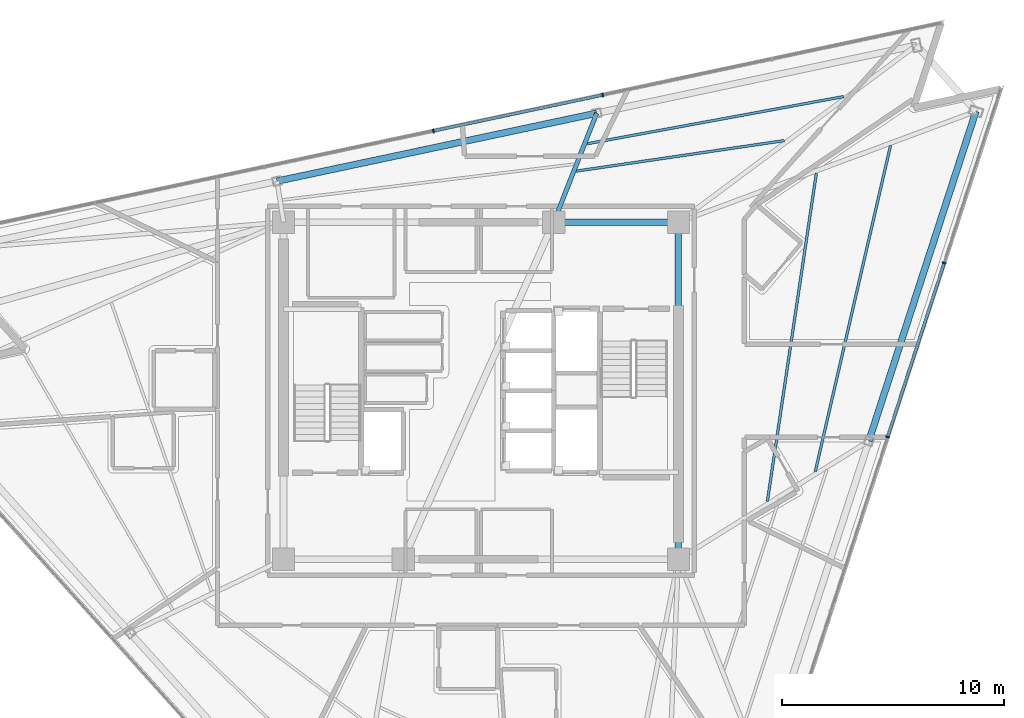
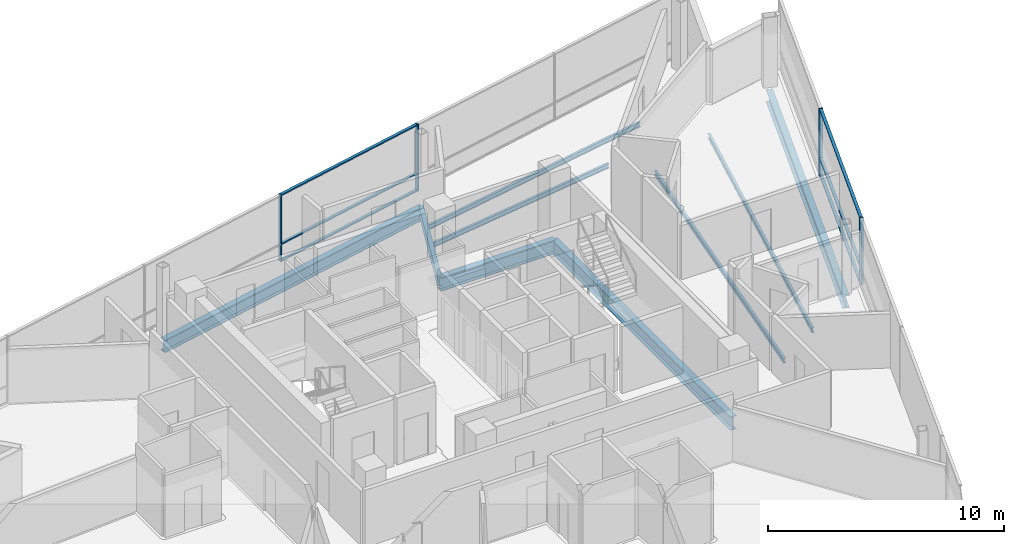
# One storey, part 7 of 18: 10 members, 9 beams, 2 elements without a shape of their own.
"""IFC4 building model written with IfcOpenShell, lengths in metres."""

from ifc_helpers import new_model, si_unit, direction, frame, origin, origin_2d, place, context, subcontext, project, spatial, rectangle, i_section, extrude, material, layer, layer_set, material_profile, profile_set, type_object, element, aggregate, save


model = new_model("IFC4")

# Units and contexts
model_context = context("Model", 3, precision=1e-05, world=origin(), true_north=direction((0.0, 1.0)))
body_context = subcontext(model_context, "Body", "Model", "MODEL_VIEW")
ifc_project = project(units=[si_unit("LENGTHUNIT", "METRE"), si_unit("AREAUNIT", "SQUARE_METRE"), si_unit("VOLUMEUNIT", "CUBIC_METRE"), si_unit("PLANEANGLEUNIT", "RADIAN"), si_unit("MASSUNIT", "GRAM", prefix="KILO")], contexts=[model_context])

# Site, building, storey
site_placement = place(None, origin())
site = spatial("IfcSite", under=ifc_project, at=site_placement, CompositionType="ELEMENT")
building_placement = place(site_placement, origin())
building = spatial("IfcBuilding", under=site, at=building_placement, Name="Tharavind Bronze Gate", CompositionType="ELEMENT")
storey_placement = place(building_placement, frame((0.0, 0.0, 287.050048828125)))
storey = spatial("IfcBuildingStorey", under=building, at=storey_placement, Name="L74", CompositionType="ELEMENT", Elevation=287.050048828125)

# Curtain wall, members
ifc_material_1 = material(Name="Anodised Bronze Aluminium", Category="aluminium")
ifc_layer = layer(ifc_material_1, 0.219970703125)
ifc_layer_set = layer_set([ifc_layer], Name="Anodised Bronze Aluminium")
curtain_wall_type = type_object("IfcCurtainWallType", Name="UNITISED CURTAIN WALL CROWN", PredefinedType="USERDEFINED", material=ifc_layer_set)
curtain_wall_1_placement = place(storey_placement, origin())
curtain_wall_1 = element("IfcCurtainWall", 1, at=curtain_wall_1_placement, inside=storey, type_object=curtain_wall_type, Name="L74 unitised curtain wall crown CW-L74-S2", ObjectType="UNITISED CURTAIN WALL", PredefinedType="USERDEFINED")
member_type_1 = type_object("IfcMemberType", Name="CURTAIN WALL BRONZE MULLION 65X180", PredefinedType="MULLION", material=ifc_material_1)
member_1_placement = place(storey_placement, frame((18.336181640625, -2.08544921875, 0.0), z_axis=(0.0, 0.0, 1.0), x_axis=(0.309016994375, 0.951056516295, 0.0)))
member_1 = element("IfcMember", 2, at=member_1_placement, type_object=member_type_1, Name="CW-L74-S2 mullion 5", PredefinedType="MULLION", context=body_context, shape_type="SweptSolid", body=[
    extrude(rectangle(XDim=0.06494140625, YDim=0.179931640625, at=origin_2d()), origin(), (0.0, 0.0, 1.0), 3.465087890625),
])
member_2_placement = place(storey_placement, frame((20.885009765625, 5.759033203125, 0.0), z_axis=(0.0, 0.0, 1.0), x_axis=(0.309016994375, 0.951056516295, 0.0)))
member_2 = element("IfcMember", 3, at=member_2_placement, type_object=member_type_1, Name="CW-L74-S2 mullion 6", PredefinedType="MULLION", context=body_context, shape_type="SweptSolid", body=[
    extrude(rectangle(XDim=0.06494140625, YDim=0.179931640625, at=origin_2d()), origin(), (0.0, 0.0, 1.0), 3.465087890625),
])

curtain_wall_2_placement = place(storey_placement, origin())
curtain_wall_2 = element("IfcCurtainWall", 4, at=curtain_wall_2_placement, inside=storey, type_object=curtain_wall_type, Name="L74 unitised curtain wall crown CW-L74-S3", ObjectType="UNITISED CURTAIN WALL", PredefinedType="USERDEFINED")
member_3_placement = place(storey_placement, frame((5.487548828125, 13.33740234375, 0.0), z_axis=(0.0, 0.0, 1.0), x_axis=(-0.978147237858, -0.207913398007, 0.0)))
member_3 = element("IfcMember", 5, at=member_3_placement, type_object=member_type_1, Name="CW-L74-S3 mullion 3", PredefinedType="MULLION", context=body_context, shape_type="SweptSolid", body=[
    extrude(rectangle(XDim=0.06494140625, YDim=0.179931640625, at=origin_2d()), origin(), (0.0, 0.0, 1.0), 3.465087890625),
])
member_4_placement = place(storey_placement, frame((-2.14453125, 11.715087890625, 0.0), z_axis=(0.0, 0.0, 1.0), x_axis=(-0.978147237858, -0.207913398007, 0.0)))
member_4 = element("IfcMember", 6, at=member_4_placement, type_object=member_type_1, Name="CW-L74-S3 mullion 4", PredefinedType="MULLION", context=body_context, shape_type="SweptSolid", body=[
    extrude(rectangle(XDim=0.06494140625, YDim=0.179931640625, at=origin_2d()), origin(), (0.0, 0.0, 1.0), 3.465087890625),
])

# Member
member_type_2 = type_object("IfcMemberType", Name="CURTAIN WALL BRONZE TRANSOM 65X140", PredefinedType="USERDEFINED", material=ifc_material_1)
member_5_placement = place(storey_placement, frame((19.610595703125, 1.8369140625, 0.0), z_axis=(0.0, 0.0, 1.0), x_axis=(0.309016994375, 0.951056516295, 0.0)))
member_5 = element("IfcMember", 7, at=member_5_placement, type_object=member_type_2, Name="CW-L74-S2 transom TB5", ObjectType="TRANSOM", PredefinedType="USERDEFINED", context=body_context, shape_type="SweptSolid", body=[
    extrude(rectangle(XDim=8.195068359375, YDim=0.139892578125, at=origin_2d()), origin(), (0.0, 0.0, 1.0), 0.06494140625),
])

member_6_placement = place(storey_placement, frame((19.610595703125, 1.8369140625, 0.867431640625), z_axis=(0.0, 0.0, 1.0), x_axis=(0.309016994375, 0.951056516295, 0.0)))
member_6 = element("IfcMember", 8, at=member_6_placement, type_object=member_type_2, Name="CW-L74-S2 transom TS5", ObjectType="TRANSOM", PredefinedType="USERDEFINED", context=body_context, shape_type="SweptSolid", body=[
    extrude(rectangle(XDim=8.195068359375, YDim=0.139892578125, at=origin_2d()), origin(), (0.0, 0.0, 1.0), 0.06494140625),
])

member_7_placement = place(storey_placement, frame((19.610595703125, 1.8369140625, 3.39990234375), z_axis=(0.0, 0.0, 1.0), x_axis=(0.309016994375, 0.951056516295, 0.0)))
member_7 = element("IfcMember", 9, at=member_7_placement, type_object=member_type_2, Name="CW-L74-S2 transom TT5", ObjectType="TRANSOM", PredefinedType="USERDEFINED", context=body_context, shape_type="SweptSolid", body=[
    extrude(rectangle(XDim=8.195068359375, YDim=0.139892578125, at=origin_2d()), origin(), (0.0, 0.0, 1.0), 0.06494140625),
])

aggregate(curtain_wall_1, [member_1, member_2, member_5, member_6, member_7])

member_8_placement = place(storey_placement, frame((1.67138671875, 12.526123046875, 0.0), z_axis=(0.0, 0.0, 1.0), x_axis=(-0.978147237858, -0.207913398007, 0.0)))
member_8 = element("IfcMember", 10, at=member_8_placement, type_object=member_type_2, Name="CW-L74-S3 transom TB3", ObjectType="TRANSOM", PredefinedType="USERDEFINED", context=body_context, shape_type="SweptSolid", body=[
    extrude(rectangle(XDim=7.749755859375, YDim=0.139892578125, at=origin_2d()), origin(), (0.0, 0.0, 1.0), 0.06494140625),
])

member_9_placement = place(storey_placement, frame((1.67138671875, 12.526123046875, 0.867431640625), z_axis=(0.0, 0.0, 1.0), x_axis=(-0.978147237858, -0.207913398007, 0.0)))
member_9 = element("IfcMember", 11, at=member_9_placement, type_object=member_type_2, Name="CW-L74-S3 transom TS3", ObjectType="TRANSOM", PredefinedType="USERDEFINED", context=body_context, shape_type="SweptSolid", body=[
    extrude(rectangle(XDim=7.749755859375, YDim=0.139892578125, at=origin_2d()), origin(), (0.0, 0.0, 1.0), 0.06494140625),
])

member_10_placement = place(storey_placement, frame((1.67138671875, 12.526123046875, 3.39990234375), z_axis=(0.0, 0.0, 1.0), x_axis=(-0.978147237858, -0.207913398007, 0.0)))
member_10 = element("IfcMember", 12, at=member_10_placement, type_object=member_type_2, Name="CW-L74-S3 transom TT3", ObjectType="TRANSOM", PredefinedType="USERDEFINED", context=body_context, shape_type="SweptSolid", body=[
    extrude(rectangle(XDim=7.749755859375, YDim=0.139892578125, at=origin_2d()), origin(), (0.0, 0.0, 1.0), 0.06494140625),
])

aggregate(curtain_wall_2, [member_3, member_4, member_8, member_9, member_10])

# Beams
ifc_material_2 = material(Name="Steel S355", Category="steel")
ifc_material_profile_1 = material_profile(ifc_material_2, i_section(OverallWidth=0.300048828125, OverallDepth=0.64990234375, WebThickness=0.01611328125, FlangeThickness=0.031005859375, at=origin_2d()), Name="HE650B")
ifc_profile_set_1 = profile_set([ifc_material_profile_1], Name="Steel S355")
beam_type_1 = type_object("IfcBeamType", Name="PRIMARY GIRDER HE650B", PredefinedType="USERDEFINED", material=ifc_profile_set_1)
beam_1_placement = place(storey_placement, frame((17.4892578125, -2.265380859375, -0.510009765625), z_axis=(0.309011547215, 0.951058286168, 0.0), x_axis=(-0.951058286168, 0.309011547215, 0.0)))
element("IfcBeam", 13, at=beam_1_placement, inside=storey, type_object=beam_type_1, Name="L74 primary girder he650b BM-L74-PRG07", ObjectType="GIRDER", PredefinedType="USERDEFINED", context=body_context, shape_type="SweptSolid", body=[
    extrude(i_section(OverallWidth=0.300048828125, OverallDepth=0.64990234375, WebThickness=0.01611328125, FlangeThickness=0.031005859375, at=origin_2d()), origin(), (0.0, 0.0, 1.0), 15.6298828125),
])
beam_2_placement = place(storey_placement, frame((5.219970703125, 12.513671875, -0.510009765625), z_axis=(-0.97814794647, -0.207910064249, 0.0), x_axis=(0.207910064249, -0.97814794647, 0.0)))
element("IfcBeam", 14, at=beam_2_placement, inside=storey, type_object=beam_type_1, Name="L74 primary girder he650b BM-L74-PRG10", ObjectType="GIRDER", PredefinedType="USERDEFINED", context=body_context, shape_type="SweptSolid", body=[
    extrude(i_section(OverallWidth=0.300048828125, OverallDepth=0.64990234375, WebThickness=0.01611328125, FlangeThickness=0.031005859375, at=origin_2d()), origin(), (0.0, 0.0, 1.0), 14.7392578125),
])
ifc_material_profile_2 = material_profile(ifc_material_2, i_section(OverallWidth=0.199951171875, OverallDepth=0.5, WebThickness=0.01025390625, FlangeThickness=0.01611328125, at=origin_2d()), Name="IPE500")
ifc_profile_set_2 = profile_set([ifc_material_profile_2], Name="Steel S355")
beam_type_2 = type_object("IfcBeamType", Name="PRIMARY GIRDER IPE500", PredefinedType="USERDEFINED", material=ifc_profile_set_2)
beam_3_placement = place(storey_placement, frame((5.219970703125, 12.513671875, -0.43505859375), z_axis=(-0.367227563748, -0.930131128618, 0.0), x_axis=(0.930131128618, -0.367227563748, 0.0)))
element("IfcBeam", 15, at=beam_3_placement, inside=storey, type_object=beam_type_2, Name="L74 primary girder ipe500 BM-L74-RAD10", ObjectType="GIRDER", PredefinedType="USERDEFINED", context=body_context, shape_type="SweptSolid", body=[
    extrude(i_section(OverallWidth=0.199951171875, OverallDepth=0.5, WebThickness=0.01025390625, FlangeThickness=0.01611328125, at=origin_2d()), origin(), (0.0, 0.0, 1.0), 5.28271484375),
])
ifc_material_profile_3 = material_profile(ifc_material_2, i_section(OverallWidth=0.300048828125, OverallDepth=0.699951171875, WebThickness=0.01708984375, FlangeThickness=0.031982421875, at=origin_2d()), Name="HE700B")
ifc_profile_set_3 = profile_set([ifc_material_profile_3], Name="Steel S355")
beam_type_3 = type_object("IfcBeamType", Name="RING GIRDER HE700B", PredefinedType="USERDEFINED", material=ifc_profile_set_3)
beam_4_placement = place(storey_placement, frame((8.89990234375, -7.60009765625, -0.53515625), z_axis=(0.0, 1.0, 0.0), x_axis=(-1.0, 0.0, 0.0)))
element("IfcBeam", 16, at=beam_4_placement, inside=storey, type_object=beam_type_3, Name="L74 ring girder he700b BM-L74-CR3", ObjectType="GIRDER", PredefinedType="USERDEFINED", context=body_context, shape_type="SweptSolid", body=[
    extrude(i_section(OverallWidth=0.300048828125, OverallDepth=0.699951171875, WebThickness=0.01708984375, FlangeThickness=0.031982421875, at=origin_2d()), origin(), (0.0, 0.0, 1.0), 15.2001953125),
])
beam_5_placement = place(storey_placement, frame((8.89990234375, 7.60009765625, -0.53515625), z_axis=(-1.0, 0.0, 0.0), x_axis=(0.0, -1.0, 0.0)))
element("IfcBeam", 17, at=beam_5_placement, inside=storey, type_object=beam_type_3, Name="L74 ring girder he700b BM-L74-CR4", ObjectType="GIRDER", PredefinedType="USERDEFINED", context=body_context, shape_type="SweptSolid", body=[
    extrude(i_section(OverallWidth=0.300048828125, OverallDepth=0.699951171875, WebThickness=0.01708984375, FlangeThickness=0.031982421875, at=origin_2d()), origin(), (0.0, 0.0, 1.0), 5.619873046875),
])
ifc_material_profile_4 = material_profile(ifc_material_2, i_section(OverallWidth=0.1201171875, OverallDepth=0.239990234375, WebThickness=0.006103515625, FlangeThickness=0.009765625, at=origin_2d()), Name="IPE240")
ifc_profile_set_4 = profile_set([ifc_material_profile_4], Name="Steel S355")
beam_type_4 = type_object("IfcBeamType", Name="SECONDARY FLOOR JOIST IPE240", PredefinedType="JOIST", material=ifc_profile_set_4)
beam_6_placement = place(storey_placement, frame((12.913818359375, -4.985595703125, -0.304931640625), z_axis=(0.147668368553, 0.989036932035, 0.0), x_axis=(-0.989036932035, 0.147668368553, 0.0)))
element("IfcBeam", 18, at=beam_6_placement, inside=storey, type_object=beam_type_4, Name="L74 secondary floor joist ipe240 BM-L74-JSTA07", PredefinedType="JOIST", context=body_context, shape_type="SweptSolid", body=[
    extrude(i_section(OverallWidth=0.1201171875, OverallDepth=0.239990234375, WebThickness=0.006103515625, FlangeThickness=0.009765625, at=origin_2d()), origin(), (0.0, 0.0, 1.0), 14.95751953125),
])
beam_7_placement = place(storey_placement, frame((15.073974609375, -3.644287109375, -0.304931640625), z_axis=(0.224913878483, 0.974378646762, 0.0), x_axis=(-0.974378646762, 0.224913878483, 0.0)))
element("IfcBeam", 19, at=beam_7_placement, inside=storey, type_object=beam_type_4, Name="L74 secondary floor joist ipe240 BM-L74-JSTB07", PredefinedType="JOIST", context=body_context, shape_type="SweptSolid", body=[
    extrude(i_section(OverallWidth=0.1201171875, OverallDepth=0.239990234375, WebThickness=0.006103515625, FlangeThickness=0.009765625, at=origin_2d()), origin(), (0.0, 0.0, 1.0), 15.0849609375),
])
beam_8_placement = place(storey_placement, frame((13.679931640625, 11.278564453125, -0.304931640625), z_axis=(-0.989403029467, -0.145195197172, 0.0), x_axis=(0.145195197172, -0.989403029467, 0.0)))
element("IfcBeam", 20, at=beam_8_placement, inside=storey, type_object=beam_type_4, Name="L74 secondary floor joist ipe240 BM-L74-JSTA09", PredefinedType="JOIST", context=body_context, shape_type="SweptSolid", body=[
    extrude(i_section(OverallWidth=0.1201171875, OverallDepth=0.239990234375, WebThickness=0.006103515625, FlangeThickness=0.009765625, at=origin_2d()), origin(), (0.0, 0.0, 1.0), 9.47998046875),
])
beam_9_placement = place(storey_placement, frame((16.350341796875, 13.2626953125, -0.304931640625), z_axis=(-0.983492984131, -0.180946263195, 0.0), x_axis=(0.180946263195, -0.983492984131, 0.0)))
element("IfcBeam", 21, at=beam_9_placement, inside=storey, type_object=beam_type_4, Name="L74 secondary floor joist ipe240 BM-L74-JSTB09", PredefinedType="JOIST", context=body_context, shape_type="SweptSolid", body=[
    extrude(i_section(OverallWidth=0.1201171875, OverallDepth=0.239990234375, WebThickness=0.006103515625, FlangeThickness=0.009765625, at=origin_2d()), origin(), (0.0, 0.0, 1.0), 11.75732421875),
])

save(model, "model.ifc")
